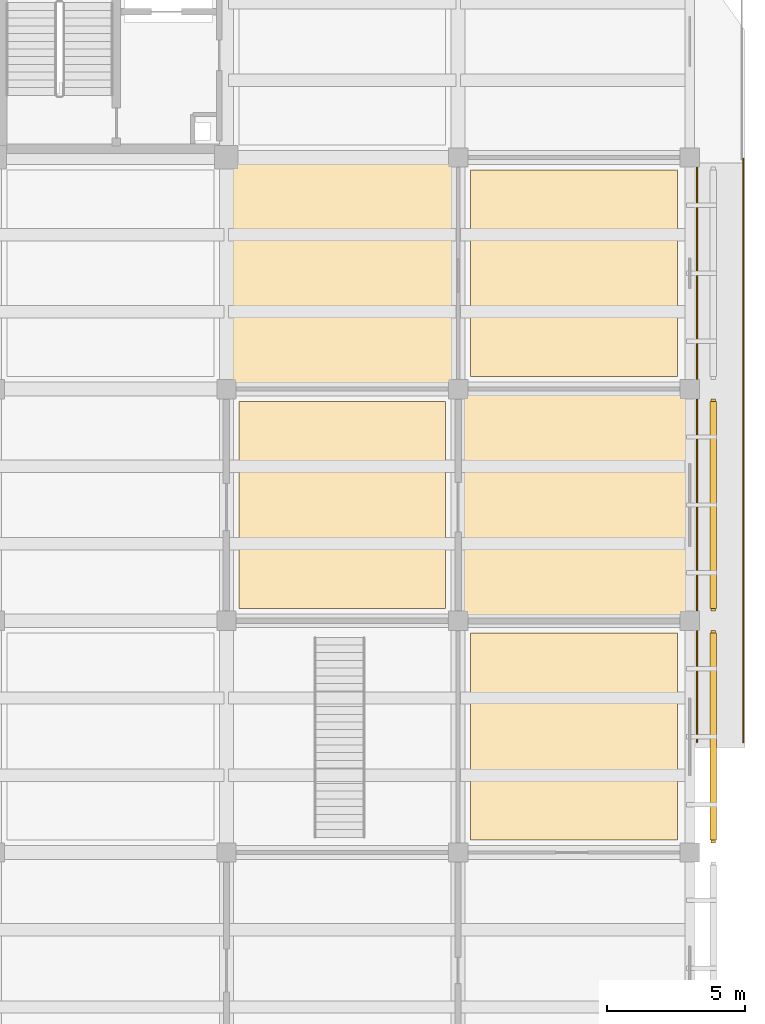
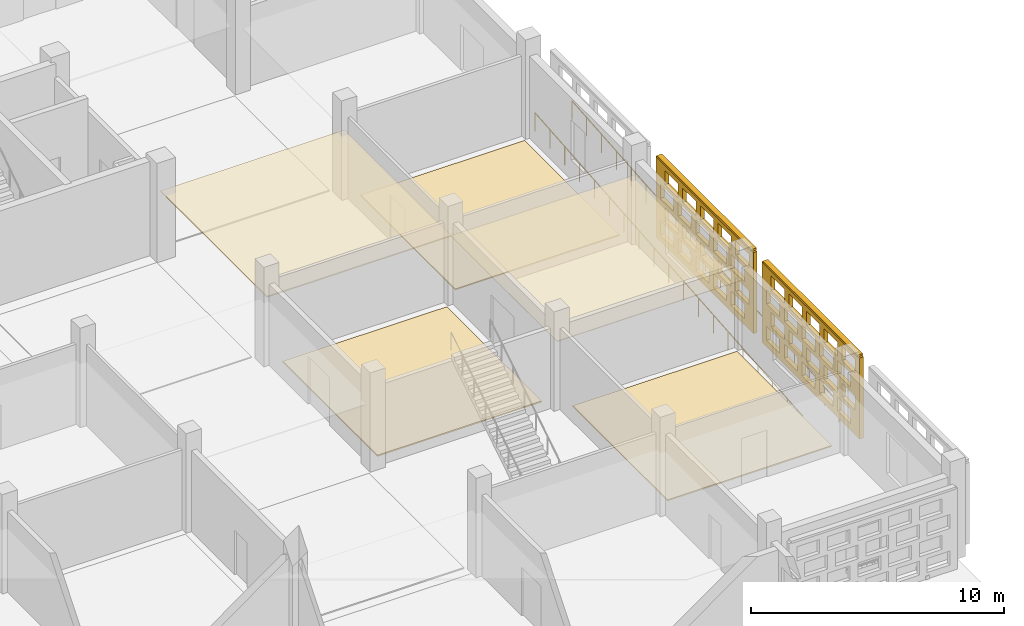
# One storey, part 124 of 129: 7 coverings, 2 railings, 2 shading devices, 40 openings.
"""IFC4 building model written with IfcOpenShell, lengths in metres."""

from ifc_helpers import new_model, si_unit, direction, frame, frame_2d, origin, origin_2d, place, context, subcontext, project, spatial, rectangle, circle, extrude, material, layer, layer_set, type_object, element, save


model = new_model("IFC4")

# Units and contexts
model_context = context("Model", 3, precision=1e-05, world=origin(), true_north=direction((0.0, 1.0)))
body_context = subcontext(model_context, "Body", "Model", "MODEL_VIEW")
ifc_project = project(units=[si_unit("LENGTHUNIT", "METRE"), si_unit("AREAUNIT", "SQUARE_METRE"), si_unit("VOLUMEUNIT", "CUBIC_METRE"), si_unit("PLANEANGLEUNIT", "RADIAN"), si_unit("MASSUNIT", "GRAM", prefix="KILO")], contexts=[model_context])

# Site, building, storey
site_placement = place(None, origin())
site = spatial("IfcSite", under=ifc_project, at=site_placement, CompositionType="ELEMENT")
building_placement = place(site_placement, origin())
building = spatial("IfcBuilding", under=site, at=building_placement, Name="Varnapada Polytechnic", CompositionType="ELEMENT")
storey_placement = place(building_placement, origin())
storey = spatial("IfcBuildingStorey", under=building, at=storey_placement, Name="L00", CompositionType="ELEMENT", Elevation=0.0)

# Coverings
ifc_material_1 = material(Name="Anti-Static Raised Laboratory Flooring")
ifc_layer_1 = layer(ifc_material_1, 0.06005859375)
ifc_layer_set_1 = layer_set([ifc_layer_1], Name="Anti-Static Raised Laboratory Flooring")
covering_type_1 = type_object("IfcCoveringType", Name="Floor Finish FLR-02", PredefinedType="FLOORING", material=ifc_layer_set_1)
for number, where, z_axis, x_axis, name in (
    (1, (163.800048828125, 79.800048828125, 0.0), (0.0, 0.0, 1.0), (1.0, 0.0, 0.0), "L00 floor finish panel (20,10)"),
    (2, (172.199951171875, 71.39990234375, 0.0), (0.0, 0.0, 1.0), (1.0, 0.0, 0.0), "L00 floor finish panel (21,9)"),
):
    element("IfcCovering", number, at=place(storey_placement, frame(where, z_axis=z_axis, x_axis=x_axis)), inside=storey, type_object=covering_type_1, Name=name, PredefinedType="FLOORING", context=body_context, shape_type="SweptSolid", body=[
        extrude(rectangle(XDim=7.5, YDim=7.5, at=origin_2d()), origin(), (0.0, 0.0, 1.0), 0.06005859375),
    ])
ifc_material_2 = material(Name="End-Grain Timber Studio Block Flooring", Category="wood")
ifc_layer_2 = layer(ifc_material_2, 0.054931640625)
ifc_layer_set_2 = layer_set([ifc_layer_2], Name="End-Grain Timber Studio Block Flooring")
covering_type_2 = type_object("IfcCoveringType", Name="Floor Finish FLR-04", PredefinedType="FLOORING", material=ifc_layer_set_2)
covering_1_placement = place(storey_placement, frame((172.199951171875, 88.199951171875, 0.0), z_axis=(0.0, 0.0, 1.0), x_axis=(1.0, 0.0, 0.0)))
element("IfcCovering", 3, at=covering_1_placement, inside=storey, type_object=covering_type_2, Name="L00 floor finish panel (21,11)", PredefinedType="FLOORING", context=body_context, shape_type="SweptSolid", body=[
    extrude(rectangle(XDim=7.5, YDim=7.5, at=origin_2d()), origin(), (0.0, 0.0, 1.0), 0.054931640625),
])

# Railings
ifc_material_3 = material(Name="Stainless steel handrail", Category="steel")
railing_type = type_object("IfcRailingType", Name="Ramp Handrail HRL-01", PredefinedType="HANDRAIL", material=ifc_material_3)
railing_1_placement = place(storey_placement, frame((178.340087890625, 71.199951171875, -1.800048828125)))
element("IfcRailing", 4, at=railing_1_placement, inside=storey, type_object=railing_type, Name="North-east library front plinth ramp handrail L", PredefinedType="HANDRAIL", context=body_context, shape_type="SweptSolid", body=[
    extrude(circle(Radius=0.02392578125, at=origin_2d()), frame((0.0, 0.0, 0.89599609375), z_axis=(0.0, 0.996397862465, 0.084801531091), x_axis=(-1.0, 0.0, 0.0)), (0.0, 0.0, 1.0), 21.2265625),
    extrude(circle(Radius=0.02099609375, at=origin_2d()), origin(), (0.0, 0.0, 1.0), 0.871826171875),
    extrude(circle(Radius=0.02099609375, at=origin_2d()), frame((0.0, 1.175048828125, 0.10009765625)), (0.0, 0.0, 1.0), 0.871826171875),
    extrude(circle(Radius=0.02099609375, at=origin_2d()), frame((0.0, 2.35009765625, 0.199951171875)), (0.0, 0.0, 1.0), 0.871826171875),
    extrude(circle(Radius=0.02099609375, at=origin_2d()), frame((0.0, 3.52490234375, 0.300048828125)), (0.0, 0.0, 1.0), 0.871826171875),
    extrude(circle(Radius=0.02099609375, at=origin_2d()), frame((0.0, 4.699951171875, 0.39990234375)), (0.0, 0.0, 1.0), 0.871826171875),
    extrude(circle(Radius=0.02099609375, at=origin_2d()), frame((0.0, 5.875, 0.5)), (0.0, 0.0, 1.0), 0.871826171875),
    extrude(circle(Radius=0.02099609375, at=origin_2d()), frame((0.0, 7.050048828125, 0.60009765625)), (0.0, 0.0, 1.0), 0.871826171875),
    extrude(circle(Radius=0.02099609375, at=origin_2d()), frame((0.0, 8.22509765625, 0.699951171875)), (0.0, 0.0, 1.0), 0.871826171875),
    extrude(circle(Radius=0.02099609375, at=origin_2d()), frame((0.0, 9.400146484375, 0.800048828125)), (0.0, 0.0, 1.0), 0.871826171875),
    extrude(circle(Radius=0.02099609375, at=origin_2d()), frame((0.0, 10.5751953125, 0.89990234375)), (0.0, 0.0, 1.0), 0.871826171875),
    extrude(circle(Radius=0.02099609375, at=origin_2d()), frame((0.0, 11.75, 1.0)), (0.0, 0.0, 1.0), 0.871826171875),
    extrude(circle(Radius=0.02099609375, at=origin_2d()), frame((0.0, 12.925048828125, 1.10009765625)), (0.0, 0.0, 1.0), 0.871826171875),
    extrude(circle(Radius=0.02099609375, at=origin_2d()), frame((0.0, 14.10009765625, 1.199951171875)), (0.0, 0.0, 1.0), 0.871826171875),
    extrude(circle(Radius=0.02099609375, at=origin_2d()), frame((0.0, 15.275146484375, 1.300048828125)), (0.0, 0.0, 1.0), 0.871826171875),
    extrude(circle(Radius=0.02099609375, at=origin_2d()), frame((0.0, 16.4501953125, 1.400146484375)), (0.0, 0.0, 1.0), 0.871826171875),
    extrude(circle(Radius=0.02099609375, at=origin_2d()), frame((0.0, 17.625, 1.5)), (0.0, 0.0, 1.0), 0.871826171875),
    extrude(circle(Radius=0.02099609375, at=origin_2d()), frame((0.0, 18.800048828125, 1.60009765625)), (0.0, 0.0, 1.0), 0.871826171875),
    extrude(circle(Radius=0.02099609375, at=origin_2d()), frame((0.0, 19.97509765625, 1.699951171875)), (0.0, 0.0, 1.0), 0.871826171875),
    extrude(circle(Radius=0.02099609375, at=origin_2d()), frame((0.0, 21.150146484375, 1.800048828125)), (0.0, 0.0, 1.0), 0.871826171875),
])
railing_2_placement = place(storey_placement, frame((176.659912109375, 71.199951171875, -1.800048828125)))
element("IfcRailing", 5, at=railing_2_placement, inside=storey, type_object=railing_type, Name="North-east library front plinth ramp handrail R", PredefinedType="HANDRAIL", context=body_context, shape_type="SweptSolid", body=[
    extrude(circle(Radius=0.02392578125, at=origin_2d()), frame((0.0, 0.0, 0.89599609375), z_axis=(0.0, 0.996397862465, 0.084801531091), x_axis=(-1.0, 0.0, 0.0)), (0.0, 0.0, 1.0), 21.2265625),
    extrude(circle(Radius=0.02099609375, at=origin_2d()), origin(), (0.0, 0.0, 1.0), 0.871826171875),
    extrude(circle(Radius=0.02099609375, at=origin_2d()), frame((0.0, 1.175048828125, 0.10009765625)), (0.0, 0.0, 1.0), 0.871826171875),
    extrude(circle(Radius=0.02099609375, at=origin_2d()), frame((0.0, 2.35009765625, 0.199951171875)), (0.0, 0.0, 1.0), 0.871826171875),
    extrude(circle(Radius=0.02099609375, at=origin_2d()), frame((0.0, 3.52490234375, 0.300048828125)), (0.0, 0.0, 1.0), 0.871826171875),
    extrude(circle(Radius=0.02099609375, at=origin_2d()), frame((0.0, 4.699951171875, 0.39990234375)), (0.0, 0.0, 1.0), 0.871826171875),
    extrude(circle(Radius=0.02099609375, at=origin_2d()), frame((0.0, 5.875, 0.5)), (0.0, 0.0, 1.0), 0.871826171875),
    extrude(circle(Radius=0.02099609375, at=origin_2d()), frame((0.0, 7.050048828125, 0.60009765625)), (0.0, 0.0, 1.0), 0.871826171875),
    extrude(circle(Radius=0.02099609375, at=origin_2d()), frame((0.0, 8.22509765625, 0.699951171875)), (0.0, 0.0, 1.0), 0.871826171875),
    extrude(circle(Radius=0.02099609375, at=origin_2d()), frame((0.0, 9.400146484375, 0.800048828125)), (0.0, 0.0, 1.0), 0.871826171875),
    extrude(circle(Radius=0.02099609375, at=origin_2d()), frame((0.0, 10.5751953125, 0.89990234375)), (0.0, 0.0, 1.0), 0.871826171875),
    extrude(circle(Radius=0.02099609375, at=origin_2d()), frame((0.0, 11.75, 1.0)), (0.0, 0.0, 1.0), 0.871826171875),
    extrude(circle(Radius=0.02099609375, at=origin_2d()), frame((0.0, 12.925048828125, 1.10009765625)), (0.0, 0.0, 1.0), 0.871826171875),
    extrude(circle(Radius=0.02099609375, at=origin_2d()), frame((0.0, 14.10009765625, 1.199951171875)), (0.0, 0.0, 1.0), 0.871826171875),
    extrude(circle(Radius=0.02099609375, at=origin_2d()), frame((0.0, 15.275146484375, 1.300048828125)), (0.0, 0.0, 1.0), 0.871826171875),
    extrude(circle(Radius=0.02099609375, at=origin_2d()), frame((0.0, 16.4501953125, 1.400146484375)), (0.0, 0.0, 1.0), 0.871826171875),
    extrude(circle(Radius=0.02099609375, at=origin_2d()), frame((0.0, 17.625, 1.5)), (0.0, 0.0, 1.0), 0.871826171875),
    extrude(circle(Radius=0.02099609375, at=origin_2d()), frame((0.0, 18.800048828125, 1.60009765625)), (0.0, 0.0, 1.0), 0.871826171875),
    extrude(circle(Radius=0.02099609375, at=origin_2d()), frame((0.0, 19.97509765625, 1.699951171875)), (0.0, 0.0, 1.0), 0.871826171875),
    extrude(circle(Radius=0.02099609375, at=origin_2d()), frame((0.0, 21.150146484375, 1.800048828125)), (0.0, 0.0, 1.0), 0.871826171875),
])

# Coverings
ifc_material_4 = material(Name="Moisture-Resistant Aluminum Baffle Ceiling", Category="aluminium")
ifc_layer_3 = layer(ifc_material_4, 0.030029296875)
ifc_layer_set_3 = layer_set([ifc_layer_3], Name="Moisture-Resistant Aluminum Baffle Ceiling")
covering_type_3 = type_object("IfcCoveringType", Name="Suspended Ceiling CLG-03", PredefinedType="CEILING", material=ifc_layer_set_3)
covering_2_placement = place(storey_placement, frame((172.199951171875, 79.800048828125, 3.03515625), z_axis=(0.0, 0.0, 1.0), x_axis=(1.0, 0.0, 0.0)))
element("IfcCovering", 6, at=covering_2_placement, inside=storey, type_object=covering_type_3, Name="L00 suspended acoustic ceiling (21,10)", PredefinedType="CEILING", context=body_context, shape_type="SweptSolid", body=[
    extrude(rectangle(XDim=8.419921875, YDim=8.419921875, at=origin_2d()), origin(), (0.0, 0.0, 1.0), 0.030029296875),
])
ifc_material_5 = material(Name="Slatted Merbau Timber Acoustic Ceiling", Category="wood")
ifc_layer_4 = layer(ifc_material_5, 0.054931640625)
ifc_layer_set_4 = layer_set([ifc_layer_4], Name="Slatted Merbau Timber Acoustic Ceiling")
covering_type_4 = type_object("IfcCoveringType", Name="Suspended Ceiling CLG-05", PredefinedType="CEILING", material=ifc_layer_set_4)
covering_3_placement = place(storey_placement, frame((163.800048828125, 88.199951171875, 3.0224609375), z_axis=(0.0, 0.0, 1.0), x_axis=(1.0, 0.0, 0.0)))
element("IfcCovering", 7, at=covering_3_placement, inside=storey, type_object=covering_type_4, Name="L00 suspended acoustic ceiling (20,11)", PredefinedType="CEILING", context=body_context, shape_type="SweptSolid", body=[
    extrude(rectangle(XDim=8.419921875, YDim=8.419921875, at=origin_2d()), origin(), (0.0, 0.0, 1.0), 0.054931640625),
])

# Covering, openings
ifc_material_6 = material(Name="Earth-toned architectural terracotta screen block", Category="masonry")
ifc_layer_5 = layer(ifc_material_6, 0.1201171875)
ifc_layer_set_5 = layer_set([ifc_layer_5], Name="Earth-toned architectural terracotta screen block")
covering_type_5 = type_object("IfcCoveringType", Name="Terracotta Screen Cladding CLD-01", PredefinedType="CLADDING", material=ifc_layer_set_5)
covering_4_placement = place(storey_placement, frame((177.25, 75.25, 0.0), z_axis=(0.0, 0.0, 1.0), x_axis=(0.0, -1.0, 0.0)))
covering_4 = element("IfcCovering", 8, at=covering_4_placement, inside=storey, type_object=covering_type_5, Name="L00 perforated terracotta block screen (107)", PredefinedType="CLADDING", context=body_context, shape_type="SweptSolid", body=[
    extrude(rectangle(XDim=7.699951171875, YDim=0.179931640625, at=frame_2d((3.85009765625, 0.0))), origin(), (0.0, 0.0, 1.0), 3.919921875),
])
opening_1_placement = place(covering_4_placement, frame((0.35009765625, 0.0, 0.313720703125)))
element("IfcOpeningElement", 9, at=opening_1_placement, cuts=covering_4, Name="Screen perforation TBS-L00-106.1", PredefinedType="OPENING", context=body_context, shape_type="SweptSolid", body=[
    extrude(rectangle(XDim=1.0400390625, YDim=0.679931640625, at=frame_2d((0.52001953125, 0.33984375))), frame((0.0, 0.099853515625, 0.0), z_axis=(0.0, -1.0, 0.0), x_axis=(1.0, 0.0, 0.0)), (0.0, 0.0, 1.0), 0.199951171875),
])
opening_2_placement = place(covering_4_placement, frame((1.75, 0.0, 0.313720703125)))
element("IfcOpeningElement", 10, at=opening_2_placement, cuts=covering_4, Name="Screen perforation TBS-L00-106.2", PredefinedType="OPENING", context=body_context, shape_type="SweptSolid", body=[
    extrude(rectangle(XDim=1.0400390625, YDim=0.679931640625, at=frame_2d((0.52001953125, 0.33984375))), frame((0.0, 0.099853515625, 0.0), z_axis=(0.0, -1.0, 0.0), x_axis=(1.0, 0.0, 0.0)), (0.0, 0.0, 1.0), 0.199951171875),
])
opening_3_placement = place(covering_4_placement, frame((3.14990234375, 0.0, 0.313720703125)))
element("IfcOpeningElement", 11, at=opening_3_placement, cuts=covering_4, Name="Screen perforation TBS-L00-106.3", PredefinedType="OPENING", context=body_context, shape_type="SweptSolid", body=[
    extrude(rectangle(XDim=1.0400390625, YDim=0.679931640625, at=frame_2d((0.52001953125, 0.33984375))), frame((0.0, 0.099853515625, 0.0), z_axis=(0.0, -1.0, 0.0), x_axis=(1.0, 0.0, 0.0)), (0.0, 0.0, 1.0), 0.199951171875),
])
opening_4_placement = place(covering_4_placement, frame((4.550048828125, 0.0, 0.313720703125)))
element("IfcOpeningElement", 12, at=opening_4_placement, cuts=covering_4, Name="Screen perforation TBS-L00-106.4", PredefinedType="OPENING", context=body_context, shape_type="SweptSolid", body=[
    extrude(rectangle(XDim=1.0400390625, YDim=0.679931640625, at=frame_2d((0.52001953125, 0.33984375))), frame((0.0, 0.099853515625, 0.0), z_axis=(0.0, -1.0, 0.0), x_axis=(1.0, 0.0, 0.0)), (0.0, 0.0, 1.0), 0.199951171875),
])
opening_5_placement = place(covering_4_placement, frame((5.949951171875, 0.0, 0.313720703125)))
element("IfcOpeningElement", 13, at=opening_5_placement, cuts=covering_4, Name="Screen perforation TBS-L00-106.5", PredefinedType="OPENING", context=body_context, shape_type="SweptSolid", body=[
    extrude(rectangle(XDim=1.0400390625, YDim=0.679931640625, at=frame_2d((0.52001953125, 0.33984375))), frame((0.0, 0.099853515625, 0.0), z_axis=(0.0, -1.0, 0.0), x_axis=(1.0, 0.0, 0.0)), (0.0, 0.0, 1.0), 0.199951171875),
])
opening_6_placement = place(covering_4_placement, frame((0.7099609375, 0.0, 1.195556640625)))
element("IfcOpeningElement", 14, at=opening_6_placement, cuts=covering_4, Name="Screen perforation TBS-L00-106.6", PredefinedType="OPENING", context=body_context, shape_type="SweptSolid", body=[
    extrude(rectangle(XDim=1.0400390625, YDim=0.679931640625, at=frame_2d((0.52001953125, 0.33984375))), frame((0.0, 0.099853515625, 0.0), z_axis=(0.0, -1.0, 0.0), x_axis=(1.0, 0.0, 0.0)), (0.0, 0.0, 1.0), 0.199951171875),
])
opening_7_placement = place(covering_4_placement, frame((2.110107421875, 0.0, 1.195556640625)))
element("IfcOpeningElement", 15, at=opening_7_placement, cuts=covering_4, Name="Screen perforation TBS-L00-106.7", PredefinedType="OPENING", context=body_context, shape_type="SweptSolid", body=[
    extrude(rectangle(XDim=1.0400390625, YDim=0.679931640625, at=frame_2d((0.52001953125, 0.33984375))), frame((0.0, 0.099853515625, 0.0), z_axis=(0.0, -1.0, 0.0), x_axis=(1.0, 0.0, 0.0)), (0.0, 0.0, 1.0), 0.199951171875),
])
opening_8_placement = place(covering_4_placement, frame((3.510009765625, 0.0, 1.195556640625)))
element("IfcOpeningElement", 16, at=opening_8_placement, cuts=covering_4, Name="Screen perforation TBS-L00-106.8", PredefinedType="OPENING", context=body_context, shape_type="SweptSolid", body=[
    extrude(rectangle(XDim=1.0400390625, YDim=0.679931640625, at=frame_2d((0.52001953125, 0.33984375))), frame((0.0, 0.099853515625, 0.0), z_axis=(0.0, -1.0, 0.0), x_axis=(1.0, 0.0, 0.0)), (0.0, 0.0, 1.0), 0.199951171875),
])
opening_9_placement = place(covering_4_placement, frame((4.909912109375, 0.0, 1.195556640625)))
element("IfcOpeningElement", 17, at=opening_9_placement, cuts=covering_4, Name="Screen perforation TBS-L00-106.9", PredefinedType="OPENING", context=body_context, shape_type="SweptSolid", body=[
    extrude(rectangle(XDim=1.0400390625, YDim=0.679931640625, at=frame_2d((0.52001953125, 0.33984375))), frame((0.0, 0.099853515625, 0.0), z_axis=(0.0, -1.0, 0.0), x_axis=(1.0, 0.0, 0.0)), (0.0, 0.0, 1.0), 0.199951171875),
])
opening_10_placement = place(covering_4_placement, frame((6.31005859375, 0.0, 1.195556640625)))
element("IfcOpeningElement", 18, at=opening_10_placement, cuts=covering_4, Name="Screen perforation TBS-L00-106.10", PredefinedType="OPENING", context=body_context, shape_type="SweptSolid", body=[
    extrude(rectangle(XDim=1.0400390625, YDim=0.679931640625, at=frame_2d((0.52001953125, 0.33984375))), frame((0.0, 0.099853515625, 0.0), z_axis=(0.0, -1.0, 0.0), x_axis=(1.0, 0.0, 0.0)), (0.0, 0.0, 1.0), 0.199951171875),
])
opening_11_placement = place(covering_4_placement, frame((0.35009765625, 0.0, 2.07763671875)))
element("IfcOpeningElement", 19, at=opening_11_placement, cuts=covering_4, Name="Screen perforation TBS-L00-106.11", PredefinedType="OPENING", context=body_context, shape_type="SweptSolid", body=[
    extrude(rectangle(XDim=1.0400390625, YDim=0.679931640625, at=frame_2d((0.52001953125, 0.33984375))), frame((0.0, 0.099853515625, 0.0), z_axis=(0.0, -1.0, 0.0), x_axis=(1.0, 0.0, 0.0)), (0.0, 0.0, 1.0), 0.199951171875),
])
opening_12_placement = place(covering_4_placement, frame((1.75, 0.0, 2.07763671875)))
element("IfcOpeningElement", 20, at=opening_12_placement, cuts=covering_4, Name="Screen perforation TBS-L00-106.12", PredefinedType="OPENING", context=body_context, shape_type="SweptSolid", body=[
    extrude(rectangle(XDim=1.0400390625, YDim=0.679931640625, at=frame_2d((0.52001953125, 0.33984375))), frame((0.0, 0.099853515625, 0.0), z_axis=(0.0, -1.0, 0.0), x_axis=(1.0, 0.0, 0.0)), (0.0, 0.0, 1.0), 0.199951171875),
])
opening_13_placement = place(covering_4_placement, frame((3.14990234375, 0.0, 2.07763671875)))
element("IfcOpeningElement", 21, at=opening_13_placement, cuts=covering_4, Name="Screen perforation TBS-L00-106.13", PredefinedType="OPENING", context=body_context, shape_type="SweptSolid", body=[
    extrude(rectangle(XDim=1.0400390625, YDim=0.679931640625, at=frame_2d((0.52001953125, 0.33984375))), frame((0.0, 0.099853515625, 0.0), z_axis=(0.0, -1.0, 0.0), x_axis=(1.0, 0.0, 0.0)), (0.0, 0.0, 1.0), 0.199951171875),
])
opening_14_placement = place(covering_4_placement, frame((4.550048828125, 0.0, 2.07763671875)))
element("IfcOpeningElement", 22, at=opening_14_placement, cuts=covering_4, Name="Screen perforation TBS-L00-106.14", PredefinedType="OPENING", context=body_context, shape_type="SweptSolid", body=[
    extrude(rectangle(XDim=1.0400390625, YDim=0.679931640625, at=frame_2d((0.52001953125, 0.33984375))), frame((0.0, 0.099853515625, 0.0), z_axis=(0.0, -1.0, 0.0), x_axis=(1.0, 0.0, 0.0)), (0.0, 0.0, 1.0), 0.199951171875),
])
opening_15_placement = place(covering_4_placement, frame((5.949951171875, 0.0, 2.07763671875)))
element("IfcOpeningElement", 23, at=opening_15_placement, cuts=covering_4, Name="Screen perforation TBS-L00-106.15", PredefinedType="OPENING", context=body_context, shape_type="SweptSolid", body=[
    extrude(rectangle(XDim=1.0400390625, YDim=0.679931640625, at=frame_2d((0.52001953125, 0.33984375))), frame((0.0, 0.099853515625, 0.0), z_axis=(0.0, -1.0, 0.0), x_axis=(1.0, 0.0, 0.0)), (0.0, 0.0, 1.0), 0.199951171875),
])
opening_16_placement = place(covering_4_placement, frame((0.7099609375, 0.0, 2.959716796875)))
element("IfcOpeningElement", 24, at=opening_16_placement, cuts=covering_4, Name="Screen perforation TBS-L00-106.16", PredefinedType="OPENING", context=body_context, shape_type="SweptSolid", body=[
    extrude(rectangle(XDim=1.0400390625, YDim=0.679931640625, at=frame_2d((0.52001953125, 0.33984375))), frame((0.0, 0.099853515625, 0.0), z_axis=(0.0, -1.0, 0.0), x_axis=(1.0, 0.0, 0.0)), (0.0, 0.0, 1.0), 0.199951171875),
])
opening_17_placement = place(covering_4_placement, frame((2.110107421875, 0.0, 2.959716796875)))
element("IfcOpeningElement", 25, at=opening_17_placement, cuts=covering_4, Name="Screen perforation TBS-L00-106.17", PredefinedType="OPENING", context=body_context, shape_type="SweptSolid", body=[
    extrude(rectangle(XDim=1.0400390625, YDim=0.679931640625, at=frame_2d((0.52001953125, 0.33984375))), frame((0.0, 0.099853515625, 0.0), z_axis=(0.0, -1.0, 0.0), x_axis=(1.0, 0.0, 0.0)), (0.0, 0.0, 1.0), 0.199951171875),
])
opening_18_placement = place(covering_4_placement, frame((3.510009765625, 0.0, 2.959716796875)))
element("IfcOpeningElement", 26, at=opening_18_placement, cuts=covering_4, Name="Screen perforation TBS-L00-106.18", PredefinedType="OPENING", context=body_context, shape_type="SweptSolid", body=[
    extrude(rectangle(XDim=1.0400390625, YDim=0.679931640625, at=frame_2d((0.52001953125, 0.33984375))), frame((0.0, 0.099853515625, 0.0), z_axis=(0.0, -1.0, 0.0), x_axis=(1.0, 0.0, 0.0)), (0.0, 0.0, 1.0), 0.199951171875),
])
opening_19_placement = place(covering_4_placement, frame((4.909912109375, 0.0, 2.959716796875)))
element("IfcOpeningElement", 27, at=opening_19_placement, cuts=covering_4, Name="Screen perforation TBS-L00-106.19", PredefinedType="OPENING", context=body_context, shape_type="SweptSolid", body=[
    extrude(rectangle(XDim=1.0400390625, YDim=0.679931640625, at=frame_2d((0.52001953125, 0.33984375))), frame((0.0, 0.099853515625, 0.0), z_axis=(0.0, -1.0, 0.0), x_axis=(1.0, 0.0, 0.0)), (0.0, 0.0, 1.0), 0.199951171875),
])
opening_20_placement = place(covering_4_placement, frame((6.31005859375, 0.0, 2.959716796875)))
element("IfcOpeningElement", 28, at=opening_20_placement, cuts=covering_4, Name="Screen perforation TBS-L00-106.20", PredefinedType="OPENING", context=body_context, shape_type="SweptSolid", body=[
    extrude(rectangle(XDim=1.0400390625, YDim=0.679931640625, at=frame_2d((0.52001953125, 0.33984375))), frame((0.0, 0.099853515625, 0.0), z_axis=(0.0, -1.0, 0.0), x_axis=(1.0, 0.0, 0.0)), (0.0, 0.0, 1.0), 0.199951171875),
])

covering_5_placement = place(storey_placement, frame((177.25, 83.64990234375, 0.0), z_axis=(0.0, 0.0, 1.0), x_axis=(0.0, -1.0, 0.0)))
covering_5 = element("IfcCovering", 29, at=covering_5_placement, inside=storey, type_object=covering_type_5, Name="L00 perforated terracotta block screen (108)", PredefinedType="CLADDING", context=body_context, shape_type="SweptSolid", body=[
    extrude(rectangle(XDim=7.699951171875, YDim=0.179931640625, at=frame_2d((3.85009765625, 0.0))), origin(), (0.0, 0.0, 1.0), 3.919921875),
])
opening_21_placement = place(covering_5_placement, frame((0.35009765625, 0.0, 0.313720703125)))
element("IfcOpeningElement", 30, at=opening_21_placement, cuts=covering_5, Name="Screen perforation TBS-L00-107.1", PredefinedType="OPENING", context=body_context, shape_type="SweptSolid", body=[
    extrude(rectangle(XDim=1.0400390625, YDim=0.679931640625, at=frame_2d((0.52001953125, 0.33984375))), frame((0.0, 0.099853515625, 0.0), z_axis=(0.0, -1.0, 0.0), x_axis=(1.0, 0.0, 0.0)), (0.0, 0.0, 1.0), 0.199951171875),
])
opening_22_placement = place(covering_5_placement, frame((1.75, 0.0, 0.313720703125)))
element("IfcOpeningElement", 31, at=opening_22_placement, cuts=covering_5, Name="Screen perforation TBS-L00-107.2", PredefinedType="OPENING", context=body_context, shape_type="SweptSolid", body=[
    extrude(rectangle(XDim=1.0400390625, YDim=0.679931640625, at=frame_2d((0.52001953125, 0.33984375))), frame((0.0, 0.099853515625, 0.0), z_axis=(0.0, -1.0, 0.0), x_axis=(1.0, 0.0, 0.0)), (0.0, 0.0, 1.0), 0.199951171875),
])
opening_23_placement = place(covering_5_placement, frame((3.14990234375, 0.0, 0.313720703125)))
element("IfcOpeningElement", 32, at=opening_23_placement, cuts=covering_5, Name="Screen perforation TBS-L00-107.3", PredefinedType="OPENING", context=body_context, shape_type="SweptSolid", body=[
    extrude(rectangle(XDim=1.0400390625, YDim=0.679931640625, at=frame_2d((0.52001953125, 0.33984375))), frame((0.0, 0.099853515625, 0.0), z_axis=(0.0, -1.0, 0.0), x_axis=(1.0, 0.0, 0.0)), (0.0, 0.0, 1.0), 0.199951171875),
])
opening_24_placement = place(covering_5_placement, frame((4.550048828125, 0.0, 0.313720703125)))
element("IfcOpeningElement", 33, at=opening_24_placement, cuts=covering_5, Name="Screen perforation TBS-L00-107.4", PredefinedType="OPENING", context=body_context, shape_type="SweptSolid", body=[
    extrude(rectangle(XDim=1.0400390625, YDim=0.679931640625, at=frame_2d((0.52001953125, 0.33984375))), frame((0.0, 0.099853515625, 0.0), z_axis=(0.0, -1.0, 0.0), x_axis=(1.0, 0.0, 0.0)), (0.0, 0.0, 1.0), 0.199951171875),
])
opening_25_placement = place(covering_5_placement, frame((5.949951171875, 0.0, 0.313720703125)))
element("IfcOpeningElement", 34, at=opening_25_placement, cuts=covering_5, Name="Screen perforation TBS-L00-107.5", PredefinedType="OPENING", context=body_context, shape_type="SweptSolid", body=[
    extrude(rectangle(XDim=1.0400390625, YDim=0.679931640625, at=frame_2d((0.52001953125, 0.33984375))), frame((0.0, 0.099853515625, 0.0), z_axis=(0.0, -1.0, 0.0), x_axis=(1.0, 0.0, 0.0)), (0.0, 0.0, 1.0), 0.199951171875),
])
opening_26_placement = place(covering_5_placement, frame((0.7099609375, 0.0, 1.195556640625)))
element("IfcOpeningElement", 35, at=opening_26_placement, cuts=covering_5, Name="Screen perforation TBS-L00-107.6", PredefinedType="OPENING", context=body_context, shape_type="SweptSolid", body=[
    extrude(rectangle(XDim=1.0400390625, YDim=0.679931640625, at=frame_2d((0.52001953125, 0.33984375))), frame((0.0, 0.099853515625, 0.0), z_axis=(0.0, -1.0, 0.0), x_axis=(1.0, 0.0, 0.0)), (0.0, 0.0, 1.0), 0.199951171875),
])
opening_27_placement = place(covering_5_placement, frame((2.110107421875, 0.0, 1.195556640625)))
element("IfcOpeningElement", 36, at=opening_27_placement, cuts=covering_5, Name="Screen perforation TBS-L00-107.7", PredefinedType="OPENING", context=body_context, shape_type="SweptSolid", body=[
    extrude(rectangle(XDim=1.0400390625, YDim=0.679931640625, at=frame_2d((0.52001953125, 0.33984375))), frame((0.0, 0.099853515625, 0.0), z_axis=(0.0, -1.0, 0.0), x_axis=(1.0, 0.0, 0.0)), (0.0, 0.0, 1.0), 0.199951171875),
])
opening_28_placement = place(covering_5_placement, frame((3.510009765625, 0.0, 1.195556640625)))
element("IfcOpeningElement", 37, at=opening_28_placement, cuts=covering_5, Name="Screen perforation TBS-L00-107.8", PredefinedType="OPENING", context=body_context, shape_type="SweptSolid", body=[
    extrude(rectangle(XDim=1.0400390625, YDim=0.679931640625, at=frame_2d((0.52001953125, 0.33984375))), frame((0.0, 0.099853515625, 0.0), z_axis=(0.0, -1.0, 0.0), x_axis=(1.0, 0.0, 0.0)), (0.0, 0.0, 1.0), 0.199951171875),
])
opening_29_placement = place(covering_5_placement, frame((4.909912109375, 0.0, 1.195556640625)))
element("IfcOpeningElement", 38, at=opening_29_placement, cuts=covering_5, Name="Screen perforation TBS-L00-107.9", PredefinedType="OPENING", context=body_context, shape_type="SweptSolid", body=[
    extrude(rectangle(XDim=1.0400390625, YDim=0.679931640625, at=frame_2d((0.52001953125, 0.33984375))), frame((0.0, 0.099853515625, 0.0), z_axis=(0.0, -1.0, 0.0), x_axis=(1.0, 0.0, 0.0)), (0.0, 0.0, 1.0), 0.199951171875),
])
opening_30_placement = place(covering_5_placement, frame((6.31005859375, 0.0, 1.195556640625)))
element("IfcOpeningElement", 39, at=opening_30_placement, cuts=covering_5, Name="Screen perforation TBS-L00-107.10", PredefinedType="OPENING", context=body_context, shape_type="SweptSolid", body=[
    extrude(rectangle(XDim=1.0400390625, YDim=0.679931640625, at=frame_2d((0.52001953125, 0.33984375))), frame((0.0, 0.099853515625, 0.0), z_axis=(0.0, -1.0, 0.0), x_axis=(1.0, 0.0, 0.0)), (0.0, 0.0, 1.0), 0.199951171875),
])
opening_31_placement = place(covering_5_placement, frame((0.35009765625, 0.0, 2.07763671875)))
element("IfcOpeningElement", 40, at=opening_31_placement, cuts=covering_5, Name="Screen perforation TBS-L00-107.11", PredefinedType="OPENING", context=body_context, shape_type="SweptSolid", body=[
    extrude(rectangle(XDim=1.0400390625, YDim=0.679931640625, at=frame_2d((0.52001953125, 0.33984375))), frame((0.0, 0.099853515625, 0.0), z_axis=(0.0, -1.0, 0.0), x_axis=(1.0, 0.0, 0.0)), (0.0, 0.0, 1.0), 0.199951171875),
])
opening_32_placement = place(covering_5_placement, frame((1.75, 0.0, 2.07763671875)))
element("IfcOpeningElement", 41, at=opening_32_placement, cuts=covering_5, Name="Screen perforation TBS-L00-107.12", PredefinedType="OPENING", context=body_context, shape_type="SweptSolid", body=[
    extrude(rectangle(XDim=1.0400390625, YDim=0.679931640625, at=frame_2d((0.52001953125, 0.33984375))), frame((0.0, 0.099853515625, 0.0), z_axis=(0.0, -1.0, 0.0), x_axis=(1.0, 0.0, 0.0)), (0.0, 0.0, 1.0), 0.199951171875),
])
opening_33_placement = place(covering_5_placement, frame((3.14990234375, 0.0, 2.07763671875)))
element("IfcOpeningElement", 42, at=opening_33_placement, cuts=covering_5, Name="Screen perforation TBS-L00-107.13", PredefinedType="OPENING", context=body_context, shape_type="SweptSolid", body=[
    extrude(rectangle(XDim=1.0400390625, YDim=0.679931640625, at=frame_2d((0.52001953125, 0.33984375))), frame((0.0, 0.099853515625, 0.0), z_axis=(0.0, -1.0, 0.0), x_axis=(1.0, 0.0, 0.0)), (0.0, 0.0, 1.0), 0.199951171875),
])
opening_34_placement = place(covering_5_placement, frame((4.550048828125, 0.0, 2.07763671875)))
element("IfcOpeningElement", 43, at=opening_34_placement, cuts=covering_5, Name="Screen perforation TBS-L00-107.14", PredefinedType="OPENING", context=body_context, shape_type="SweptSolid", body=[
    extrude(rectangle(XDim=1.0400390625, YDim=0.679931640625, at=frame_2d((0.52001953125, 0.33984375))), frame((0.0, 0.099853515625, 0.0), z_axis=(0.0, -1.0, 0.0), x_axis=(1.0, 0.0, 0.0)), (0.0, 0.0, 1.0), 0.199951171875),
])
opening_35_placement = place(covering_5_placement, frame((5.949951171875, 0.0, 2.07763671875)))
element("IfcOpeningElement", 44, at=opening_35_placement, cuts=covering_5, Name="Screen perforation TBS-L00-107.15", PredefinedType="OPENING", context=body_context, shape_type="SweptSolid", body=[
    extrude(rectangle(XDim=1.0400390625, YDim=0.679931640625, at=frame_2d((0.52001953125, 0.33984375))), frame((0.0, 0.099853515625, 0.0), z_axis=(0.0, -1.0, 0.0), x_axis=(1.0, 0.0, 0.0)), (0.0, 0.0, 1.0), 0.199951171875),
])
opening_36_placement = place(covering_5_placement, frame((0.7099609375, 0.0, 2.959716796875)))
element("IfcOpeningElement", 45, at=opening_36_placement, cuts=covering_5, Name="Screen perforation TBS-L00-107.16", PredefinedType="OPENING", context=body_context, shape_type="SweptSolid", body=[
    extrude(rectangle(XDim=1.0400390625, YDim=0.679931640625, at=frame_2d((0.52001953125, 0.33984375))), frame((0.0, 0.099853515625, 0.0), z_axis=(0.0, -1.0, 0.0), x_axis=(1.0, 0.0, 0.0)), (0.0, 0.0, 1.0), 0.199951171875),
])
opening_37_placement = place(covering_5_placement, frame((2.110107421875, 0.0, 2.959716796875)))
element("IfcOpeningElement", 46, at=opening_37_placement, cuts=covering_5, Name="Screen perforation TBS-L00-107.17", PredefinedType="OPENING", context=body_context, shape_type="SweptSolid", body=[
    extrude(rectangle(XDim=1.0400390625, YDim=0.679931640625, at=frame_2d((0.52001953125, 0.33984375))), frame((0.0, 0.099853515625, 0.0), z_axis=(0.0, -1.0, 0.0), x_axis=(1.0, 0.0, 0.0)), (0.0, 0.0, 1.0), 0.199951171875),
])
opening_38_placement = place(covering_5_placement, frame((3.510009765625, 0.0, 2.959716796875)))
element("IfcOpeningElement", 47, at=opening_38_placement, cuts=covering_5, Name="Screen perforation TBS-L00-107.18", PredefinedType="OPENING", context=body_context, shape_type="SweptSolid", body=[
    extrude(rectangle(XDim=1.0400390625, YDim=0.679931640625, at=frame_2d((0.52001953125, 0.33984375))), frame((0.0, 0.099853515625, 0.0), z_axis=(0.0, -1.0, 0.0), x_axis=(1.0, 0.0, 0.0)), (0.0, 0.0, 1.0), 0.199951171875),
])
opening_39_placement = place(covering_5_placement, frame((4.909912109375, 0.0, 2.959716796875)))
element("IfcOpeningElement", 48, at=opening_39_placement, cuts=covering_5, Name="Screen perforation TBS-L00-107.19", PredefinedType="OPENING", context=body_context, shape_type="SweptSolid", body=[
    extrude(rectangle(XDim=1.0400390625, YDim=0.679931640625, at=frame_2d((0.52001953125, 0.33984375))), frame((0.0, 0.099853515625, 0.0), z_axis=(0.0, -1.0, 0.0), x_axis=(1.0, 0.0, 0.0)), (0.0, 0.0, 1.0), 0.199951171875),
])
opening_40_placement = place(covering_5_placement, frame((6.31005859375, 0.0, 2.959716796875)))
element("IfcOpeningElement", 49, at=opening_40_placement, cuts=covering_5, Name="Screen perforation TBS-L00-107.20", PredefinedType="OPENING", context=body_context, shape_type="SweptSolid", body=[
    extrude(rectangle(XDim=1.0400390625, YDim=0.679931640625, at=frame_2d((0.52001953125, 0.33984375))), frame((0.0, 0.099853515625, 0.0), z_axis=(0.0, -1.0, 0.0), x_axis=(1.0, 0.0, 0.0)), (0.0, 0.0, 1.0), 0.199951171875),
])

# Shading devices
ifc_layer_6 = layer(ifc_material_6, 0.179931640625)
ifc_layer_set_6 = layer_set([ifc_layer_6], Name="Earth-toned architectural terracotta screen block")
shading_device_type = type_object("IfcShadingDeviceType", Name="Terracotta Screen SCR-02", PredefinedType="USERDEFINED", material=ifc_layer_set_6)
for number, where, z_axis, x_axis, name in (
    (50, (177.25, 71.39990234375, 3.909912109375), (0.0, 0.0, 1.0), (0.0, -1.0, 0.0), "L00 perforated terracotta screen hood 78"),
    (51, (177.25, 79.800048828125, 3.909912109375), (0.0, 0.0, 1.0), (0.0, -1.0, 0.0), "L00 perforated terracotta screen hood 79"),
):
    element("IfcShadingDevice", number, at=place(storey_placement, frame(where, z_axis=z_axis, x_axis=x_axis)), inside=storey, type_object=shading_device_type, Name=name, ObjectType="SCREEN", PredefinedType="USERDEFINED", context=body_context, shape_type="SweptSolid", body=[
        extrude(rectangle(XDim=7.5, YDim=0.239990234375, at=origin_2d()), origin(), (0.0, 0.0, 1.0), 0.10009765625),
    ])

save(model, "model.ifc")
